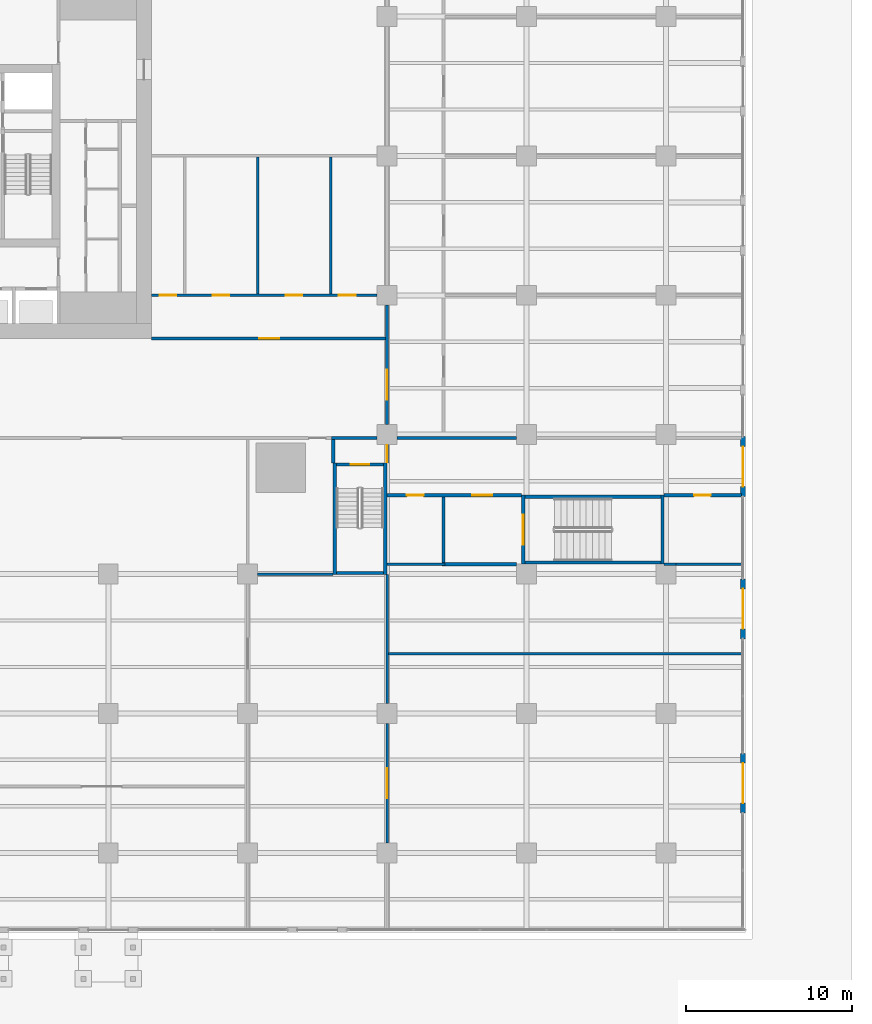
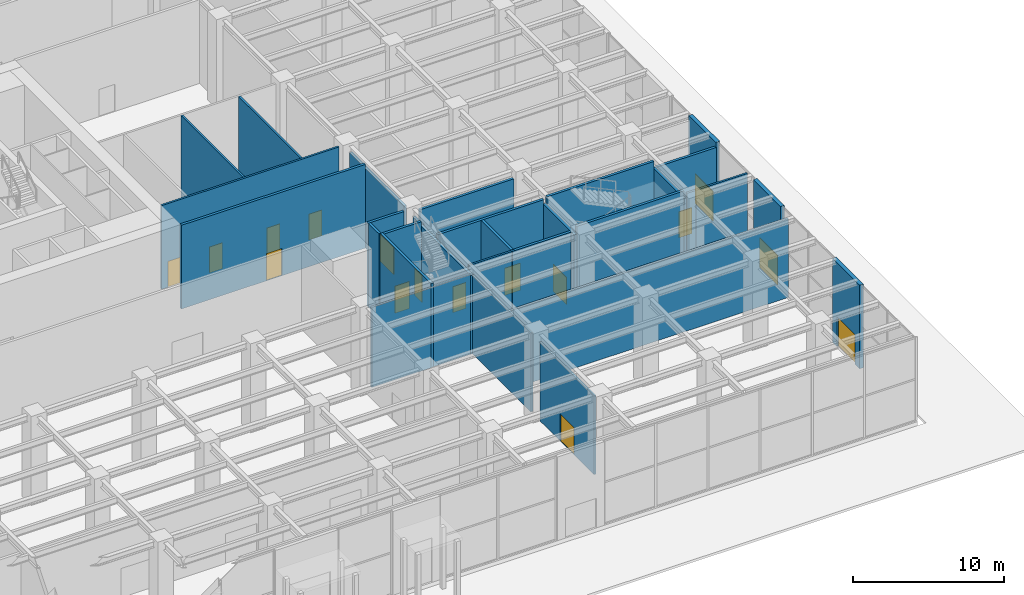
# One storey, part 32 of 43: 31 walls, 16 doors, 16 openings.
"""IFC4 building model written with IfcOpenShell, lengths in metres."""

from ifc_helpers import new_model, si_unit, direction, frame, frame_2d, origin, place, context, subcontext, project, spatial, rectangle, extrude, material, layer, layer_set, type_object, element, fill, save


model = new_model("IFC4")

# Units and contexts
model_context = context("Model", 3, precision=1e-05, world=origin(), true_north=direction((0.0, 1.0)))
body_context = subcontext(model_context, "Body", "Model", "MODEL_VIEW")
ifc_project = project(units=[si_unit("LENGTHUNIT", "METRE"), si_unit("AREAUNIT", "SQUARE_METRE"), si_unit("VOLUMEUNIT", "CUBIC_METRE"), si_unit("PLANEANGLEUNIT", "RADIAN"), si_unit("MASSUNIT", "GRAM", prefix="KILO")], contexts=[model_context])

# Site, building, storey
site_placement = place(None, origin())
site = spatial("IfcSite", under=ifc_project, at=site_placement, CompositionType="ELEMENT")
building_placement = place(site_placement, origin())
building = spatial("IfcBuilding", under=site, at=building_placement, Name="Khepri Terraces", CompositionType="ELEMENT")
storey_placement = place(building_placement, origin())
storey = spatial("IfcBuildingStorey", under=building, at=storey_placement, Name="L00", CompositionType="ELEMENT", Elevation=0.0)

# Wall, opening, door
ifc_material_1 = material(Name="Precast concrete C50/60 warm stone", Category="masonry")
ifc_layer_1 = layer(ifc_material_1, 0.300048828125, Name="Precast concrete C50/60 warm stone", Category="masonry")
ifc_layer_set_1 = layer_set([ifc_layer_1], Name="Precast concrete C50/60 warm stone")
wall_type_1 = type_object("IfcWallType", Name="WL-EXT-PRECAST-300", PredefinedType="STANDARD", material=ifc_layer_set_1)
wall_1_placement = place(storey_placement, frame((46.64990234375, -39.60009765625, 0.0), z_axis=(0.0, 0.0, 1.0), x_axis=(0.0, 1.0, 0.0)))
wall_1 = element("IfcWall", 1, at=wall_1_placement, inside=storey, type_object=wall_type_1, Name="External wall L00 E", PredefinedType="STANDARD", context=body_context, shape_type="SweptSolid", body=[
    extrude(rectangle(XDim=3.60009765625, YDim=0.300048828125, at=frame_2d((1.800048828125, 0.0))), origin(), (0.0, 0.0, 1.0), 6.780029296875),
])
opening_1_placement = place(wall_1_placement, frame((0.60009765625, 0.0, 0.0)))
opening_1 = element("IfcOpeningElement", 2, at=opening_1_placement, cuts=wall_1, Name="Opening ED-L00-01", PredefinedType="OPENING", context=body_context, shape_type="SweptSolid", body=[
    extrude(rectangle(XDim=2.39990234375, YDim=2.39990234375, at=frame_2d((1.199951171875, 1.199951171875))), frame((0.0, 0.16015625, 0.0), z_axis=(0.0, -1.0, 0.0), x_axis=(1.0, 0.0, 0.0)), (0.0, 0.0, 1.0), 0.320068359375),
])
ifc_material_2 = material(Name="Anodised aluminium bronze glazed door", Category="aluminium")
door_type_1 = type_object("IfcDoorType", Name="DR-SHOP-2400x2400", OperationType="NOTDEFINED", PredefinedType="DOOR", material=ifc_material_2)
door_1_placement = place(opening_1_placement, frame((2.39990234375, 0.0, 0.0), z_axis=(0.0, 0.0, 1.0), x_axis=(-1.0, 0.0, 0.0)))
door_1 = element("IfcDoor", 3, at=door_1_placement, inside=storey, type_object=door_type_1, Name="Retail door L00 E", OperationType="DOUBLE_DOOR_SINGLE_SWING", OverallHeight=2.39990234375, OverallWidth=2.39990234375, PredefinedType="DOOR", context=body_context, shape_type="SweptSolid", body=[
    extrude(rectangle(XDim=2.39990234375, YDim=2.39990234375, at=frame_2d((1.199951171875, 1.199951171875))), frame((0.0, 0.02490234375, 0.0), z_axis=(0.0, -1.0, 0.0), x_axis=(1.0, 0.0, 0.0)), (0.0, 0.0, 1.0), 0.050048828125),
])
fill(opening_1, door_1)

wall_2_placement = place(storey_placement, frame((46.64990234375, -29.10009765625, 0.0), z_axis=(0.0, 0.0, 1.0), x_axis=(0.0, 1.0, 0.0)))
wall_2 = element("IfcWall", 4, at=wall_2_placement, inside=storey, type_object=wall_type_1, Name="External wall L00 E", PredefinedType="STANDARD", context=body_context, shape_type="SweptSolid", body=[
    extrude(rectangle(XDim=3.60009765625, YDim=0.300048828125, at=frame_2d((1.800048828125, 0.0))), origin(), (0.0, 0.0, 1.0), 6.780029296875),
])
opening_2_placement = place(wall_2_placement, frame((0.60009765625, 0.0, 0.0)))
opening_2 = element("IfcOpeningElement", 5, at=opening_2_placement, cuts=wall_2, Name="Opening ED-L00-02", PredefinedType="OPENING", context=body_context, shape_type="SweptSolid", body=[
    extrude(rectangle(XDim=2.39990234375, YDim=2.39990234375, at=frame_2d((1.199951171875, 1.199951171875))), frame((0.0, 0.16015625, 0.0), z_axis=(0.0, -1.0, 0.0), x_axis=(1.0, 0.0, 0.0)), (0.0, 0.0, 1.0), 0.320068359375),
])
door_2_placement = place(opening_2_placement, frame((2.39990234375, 0.0, 0.0), z_axis=(0.0, 0.0, 1.0), x_axis=(-1.0, 0.0, 0.0)))
door_2 = element("IfcDoor", 6, at=door_2_placement, inside=storey, type_object=door_type_1, Name="Retail door L00 E", OperationType="DOUBLE_DOOR_SINGLE_SWING", OverallHeight=2.39990234375, OverallWidth=2.39990234375, PredefinedType="DOOR", context=body_context, shape_type="SweptSolid", body=[
    extrude(rectangle(XDim=2.39990234375, YDim=2.39990234375, at=frame_2d((1.199951171875, 1.199951171875))), frame((0.0, 0.02490234375, 0.0), z_axis=(0.0, -1.0, 0.0), x_axis=(1.0, 0.0, 0.0)), (0.0, 0.0, 1.0), 0.050048828125),
])
fill(opening_2, door_2)

wall_3_placement = place(storey_placement, frame((46.64990234375, -20.52490234375, 0.0), z_axis=(0.0, 0.0, 1.0), x_axis=(0.0, 1.0, 0.0)))
wall_3 = element("IfcWall", 7, at=wall_3_placement, inside=storey, type_object=wall_type_1, Name="External wall L00 E", PredefinedType="STANDARD", context=body_context, shape_type="SweptSolid", body=[
    extrude(rectangle(XDim=3.599853515625, YDim=0.300048828125, at=frame_2d((1.7998046875, 0.0))), origin(), (0.0, 0.0, 1.0), 6.780029296875),
])
opening_3_placement = place(wall_3_placement, frame((0.60009765625, 0.0, 0.0)))
opening_3 = element("IfcOpeningElement", 8, at=opening_3_placement, cuts=wall_3, Name="Opening ED-L00-03", PredefinedType="OPENING", context=body_context, shape_type="SweptSolid", body=[
    extrude(rectangle(XDim=2.39990234375, YDim=2.39990234375, at=frame_2d((1.199951171875, 1.199951171875))), frame((0.0, 0.16015625, 0.0), z_axis=(0.0, -1.0, 0.0), x_axis=(1.0, 0.0, 0.0)), (0.0, 0.0, 1.0), 0.320068359375),
])
ifc_material_3 = material(Name="Painted galvanised steel leaf", Category="steel")
door_type_2 = type_object("IfcDoorType", Name="DR-EXIT-2400x2400", OperationType="NOTDEFINED", PredefinedType="DOOR", material=ifc_material_3)
door_3_placement = place(opening_3_placement, frame((2.39990234375, 0.0, 0.0), z_axis=(0.0, 0.0, 1.0), x_axis=(-1.0, 0.0, 0.0)))
door_3 = element("IfcDoor", 9, at=door_3_placement, inside=storey, type_object=door_type_2, Name="Stair discharge door L00 E", OperationType="SINGLE_SWING_LEFT", OverallHeight=2.39990234375, OverallWidth=2.39990234375, PredefinedType="DOOR", context=body_context, shape_type="SweptSolid", body=[
    extrude(rectangle(XDim=2.39990234375, YDim=2.39990234375, at=frame_2d((1.199951171875, 1.199951171875))), frame((0.0, 0.02490234375, 0.0), z_axis=(0.0, -1.0, 0.0), x_axis=(1.0, 0.0, 0.0)), (0.0, 0.0, 1.0), 0.050048828125),
])
fill(opening_3, door_3)

# Walls
ifc_material_4 = material(Name="Gypsum board partition")
ifc_layer_2 = layer(ifc_material_4, 0.14990234375, Name="Gypsum board partition")
ifc_layer_set_2 = layer_set([ifc_layer_2], Name="Gypsum board partition")
wall_type_2 = type_object("IfcWallType", Name="WL-POD-150", PredefinedType="PARTITIONING", material=ifc_layer_set_2)
wall_4_placement = place(storey_placement, frame((25.27490234375, -30.0, 0.0), z_axis=(0.0, 0.0, 1.0), x_axis=(1.0, 0.0, 0.0)))
element("IfcWall", 10, at=wall_4_placement, inside=storey, type_object=wall_type_2, Name="Partition L00-PW004", PredefinedType="PARTITIONING", context=body_context, shape_type="SweptSolid", body=[
    extrude(rectangle(XDim=21.275146484375, YDim=0.14990234375, at=frame_2d((10.6376953125, 0.0))), origin(), (0.0, 0.0, 1.0), 6.3798828125),
])
wall_5_placement = place(storey_placement, frame((17.39990234375, -25.199951171875, 0.0), z_axis=(0.0, 0.0, 1.0), x_axis=(1.0, 0.0, 0.0)))
element("IfcWall", 11, at=wall_5_placement, inside=storey, type_object=wall_type_2, Name="Partition L00-PW006", PredefinedType="PARTITIONING", context=body_context, shape_type="SweptSolid", body=[
    extrude(rectangle(XDim=4.550048828125, YDim=0.14990234375, at=frame_2d((2.27490234375, 0.0))), origin(), (0.0, 0.0, 1.0), 6.47998046875),
])
wall_6_placement = place(storey_placement, frame((25.199951171875, -24.60009765625, 0.0), z_axis=(0.0, 0.0, 1.0), x_axis=(1.0, 0.0, 0.0)))
element("IfcWall", 12, at=wall_6_placement, inside=storey, type_object=wall_type_2, Name="Partition L00-PW011", PredefinedType="PARTITIONING", context=body_context, shape_type="SweptSolid", body=[
    extrude(rectangle(XDim=3.5, YDim=0.14990234375, at=frame_2d((1.75, 0.0))), origin(), (0.0, 0.0, 1.0), 6.780029296875),
])
wall_7_placement = place(storey_placement, frame((41.89990234375, -24.60009765625, 0.0), z_axis=(0.0, 0.0, 1.0), x_axis=(1.0, 0.0, 0.0)))
element("IfcWall", 13, at=wall_7_placement, inside=storey, type_object=wall_type_2, Name="Partition L00-PW013", PredefinedType="PARTITIONING", context=body_context, shape_type="SweptSolid", body=[
    extrude(rectangle(XDim=0.7001953125, YDim=0.14990234375, at=frame_2d((0.35009765625, 0.0))), origin(), (0.0, 0.0, 1.0), 6.780029296875),
])
wall_8_placement = place(storey_placement, frame((42.60009765625, -24.60009765625, 0.0), z_axis=(0.0, 0.0, 1.0), x_axis=(1.0, 0.0, 0.0)))
element("IfcWall", 14, at=wall_8_placement, inside=storey, type_object=wall_type_2, Name="Partition L00-PW014", PredefinedType="PARTITIONING", context=body_context, shape_type="SweptSolid", body=[
    extrude(rectangle(XDim=3.949951171875, YDim=0.14990234375, at=frame_2d((1.97509765625, 0.0))), origin(), (0.0, 0.0, 1.0), 6.780029296875),
])

# Wall, openings, doors
wall_9_placement = place(storey_placement, frame((11.0, -8.39990234375, 0.0), z_axis=(0.0, 0.0, 1.0), x_axis=(1.0, 0.0, 0.0)))
wall_9 = element("IfcWall", 15, at=wall_9_placement, inside=storey, type_object=wall_type_2, Name="Partition L00-PW033", PredefinedType="PARTITIONING", context=body_context, shape_type="SweptSolid", body=[
    extrude(rectangle(XDim=13.60009765625, YDim=0.14990234375, at=frame_2d((6.800048828125, 0.0))), origin(), (0.0, 0.0, 1.0), 6.780029296875),
])
opening_4_placement = place(wall_9_placement, frame((0.5, 0.0, 0.0)))
opening_4 = element("IfcOpeningElement", 16, at=opening_4_placement, cuts=wall_9, Name="Opening L00-P27", PredefinedType="OPENING", context=body_context, shape_type="SweptSolid", body=[
    extrude(rectangle(XDim=1.0, YDim=2.10009765625, at=frame_2d((0.5, 1.050048828125))), frame((0.0, 0.0849609375, 0.0), z_axis=(0.0, -1.0, 0.0), x_axis=(1.0, 0.0, 0.0)), (0.0, 0.0, 1.0), 0.169921875),
])
opening_5_placement = place(wall_9_placement, frame((3.699951171875, 0.0, 0.0)))
opening_5 = element("IfcOpeningElement", 17, at=opening_5_placement, cuts=wall_9, Name="Opening L00-P28", PredefinedType="OPENING", context=body_context, shape_type="SweptSolid", body=[
    extrude(rectangle(XDim=1.0, YDim=2.10009765625, at=frame_2d((0.5, 1.050048828125))), frame((0.0, 0.0849609375, 0.0), z_axis=(0.0, -1.0, 0.0), x_axis=(1.0, 0.0, 0.0)), (0.0, 0.0, 1.0), 0.169921875),
])
opening_6_placement = place(wall_9_placement, frame((8.10009765625, 0.0, 0.0)))
opening_6 = element("IfcOpeningElement", 18, at=opening_6_placement, cuts=wall_9, Name="Opening L00-P29", PredefinedType="OPENING", context=body_context, shape_type="SweptSolid", body=[
    extrude(rectangle(XDim=1.0, YDim=2.10009765625, at=frame_2d((0.5, 1.050048828125))), frame((0.0, 0.0849609375, 0.0), z_axis=(0.0, -1.0, 0.0), x_axis=(1.0, 0.0, 0.0)), (0.0, 0.0, 1.0), 0.169921875),
])
opening_7_placement = place(wall_9_placement, frame((11.300048828125, 0.0, 0.0)))
opening_7 = element("IfcOpeningElement", 19, at=opening_7_placement, cuts=wall_9, Name="Opening L00-P30", PredefinedType="OPENING", context=body_context, shape_type="SweptSolid", body=[
    extrude(rectangle(XDim=1.0, YDim=2.10009765625, at=frame_2d((0.5, 1.050048828125))), frame((0.0, 0.0849609375, 0.0), z_axis=(0.0, -1.0, 0.0), x_axis=(1.0, 0.0, 0.0)), (0.0, 0.0, 1.0), 0.169921875),
])
ifc_material_5 = material(Name="Timber veneer", Category="wood")
door_type_3 = type_object("IfcDoorType", Name="DR-POD-SINGLE-1000", OperationType="NOTDEFINED", PredefinedType="DOOR", material=ifc_material_5)
door_4_placement = place(opening_4_placement, origin())
door_4 = element("IfcDoor", 20, at=door_4_placement, inside=storey, type_object=door_type_3, Name="Door L00-P27", OperationType="SINGLE_SWING_LEFT", OverallHeight=2.10009765625, OverallWidth=1.0, PredefinedType="DOOR", context=body_context, shape_type="SweptSolid", body=[
    extrude(rectangle(XDim=1.0, YDim=2.10009765625, at=frame_2d((0.5, 1.050048828125))), frame((0.0, 0.02490234375, 0.0), z_axis=(0.0, -1.0, 0.0), x_axis=(1.0, 0.0, 0.0)), (0.0, 0.0, 1.0), 0.050048828125),
])
fill(opening_4, door_4)
door_5_placement = place(opening_5_placement, origin())
door_5 = element("IfcDoor", 21, at=door_5_placement, inside=storey, type_object=door_type_3, Name="Door L00-P28", OperationType="SINGLE_SWING_LEFT", OverallHeight=2.10009765625, OverallWidth=1.0, PredefinedType="DOOR", context=body_context, shape_type="SweptSolid", body=[
    extrude(rectangle(XDim=1.0, YDim=2.10009765625, at=frame_2d((0.5, 1.050048828125))), frame((0.0, 0.02490234375, 0.0), z_axis=(0.0, -1.0, 0.0), x_axis=(1.0, 0.0, 0.0)), (0.0, 0.0, 1.0), 0.050048828125),
])
fill(opening_5, door_5)
door_6_placement = place(opening_6_placement, origin())
door_6 = element("IfcDoor", 22, at=door_6_placement, inside=storey, type_object=door_type_3, Name="Door L00-P29", OperationType="SINGLE_SWING_RIGHT", OverallHeight=2.10009765625, OverallWidth=1.0, PredefinedType="DOOR", context=body_context, shape_type="SweptSolid", body=[
    extrude(rectangle(XDim=1.0, YDim=2.10009765625, at=frame_2d((0.5, 1.050048828125))), frame((0.0, 0.02490234375, 0.0), z_axis=(0.0, -1.0, 0.0), x_axis=(1.0, 0.0, 0.0)), (0.0, 0.0, 1.0), 0.050048828125),
])
fill(opening_6, door_6)
door_7_placement = place(opening_7_placement, origin())
door_7 = element("IfcDoor", 23, at=door_7_placement, inside=storey, type_object=door_type_3, Name="Door L00-P30", OperationType="SINGLE_SWING_RIGHT", OverallHeight=2.10009765625, OverallWidth=1.0, PredefinedType="DOOR", context=body_context, shape_type="SweptSolid", body=[
    extrude(rectangle(XDim=1.0, YDim=2.10009765625, at=frame_2d((0.5, 1.050048828125))), frame((0.0, 0.02490234375, 0.0), z_axis=(0.0, -1.0, 0.0), x_axis=(1.0, 0.0, 0.0)), (0.0, 0.0, 1.0), 0.050048828125),
])
fill(opening_7, door_7)

# Walls
for number, where, z_axis, x_axis, name in (
    (24, (17.39990234375, -8.324951171875, 0.0), (0.0, 0.0, 1.0), (0.0, 1.0, 0.0), "Partition L00-PW124"),
    (25, (21.800048828125, -8.324951171875, 0.0), (0.0, 0.0, 1.0), (0.0, 1.0, 0.0), "Partition L00-PW125"),
):
    element("IfcWall", number, at=place(storey_placement, frame(where, z_axis=z_axis, x_axis=x_axis)), inside=storey, type_object=wall_type_2, Name=name, PredefinedType="PARTITIONING", context=body_context, shape_type="SweptSolid", body=[
        extrude(rectangle(XDim=8.25, YDim=0.14990234375, at=frame_2d((4.125, 0.0))), origin(), (0.0, 0.0, 1.0), 6.780029296875),
    ])

# Wall, opening, door
wall_10_placement = place(storey_placement, frame((25.199951171875, -41.39990234375, 0.0), z_axis=(0.0, 0.0, 1.0), x_axis=(0.0, 1.0, 0.0)))
wall_10 = element("IfcWall", 26, at=wall_10_placement, inside=storey, type_object=wall_type_2, Name="Partition L00-PW132", PredefinedType="PARTITIONING", context=body_context, shape_type="SweptSolid", body=[
    extrude(rectangle(XDim=7.199951171875, YDim=0.14990234375, at=frame_2d((3.60009765625, 0.0))), origin(), (0.0, 0.0, 1.0), 6.3798828125),
])
opening_8_placement = place(wall_10_placement, frame((2.699951171875, 0.0, 0.0)))
opening_8 = element("IfcOpeningElement", 27, at=opening_8_placement, cuts=wall_10, Name="Opening L00-P05", PredefinedType="OPENING", context=body_context, shape_type="SweptSolid", body=[
    extrude(rectangle(XDim=1.800048828125, YDim=2.199951171875, at=frame_2d((0.89990234375, 1.10009765625))), frame((0.0, 0.0849609375, 0.0), z_axis=(0.0, -1.0, 0.0), x_axis=(1.0, 0.0, 0.0)), (0.0, 0.0, 1.0), 0.169921875),
])
ifc_material_6 = material(Name="Glazed aluminium", Category="aluminium")
door_type_4 = type_object("IfcDoorType", Name="DR-POD-PAIR-1800", OperationType="DOUBLE_DOOR_SINGLE_SWING", PredefinedType="DOOR", material=ifc_material_6)
door_8_placement = place(opening_8_placement, origin())
door_8 = element("IfcDoor", 28, at=door_8_placement, inside=storey, type_object=door_type_4, Name="Double door L00-P05", OperationType="DOUBLE_DOOR_SINGLE_SWING", OverallHeight=2.199951171875, OverallWidth=1.800048828125, PredefinedType="DOOR", context=body_context, shape_type="SweptSolid", body=[
    extrude(rectangle(XDim=1.800048828125, YDim=2.199951171875, at=frame_2d((0.89990234375, 1.10009765625))), frame((0.0, 0.02490234375, 0.0), z_axis=(0.0, -1.0, 0.0), x_axis=(1.0, 0.0, 0.0)), (0.0, 0.0, 1.0), 0.050048828125),
])
fill(opening_8, door_8)

# Walls
wall_11_placement = place(storey_placement, frame((25.199951171875, -33.0, 0.0), z_axis=(0.0, 0.0, 1.0), x_axis=(0.0, 1.0, 0.0)))
element("IfcWall", 29, at=wall_11_placement, inside=storey, type_object=wall_type_2, Name="Partition L00-PW133", PredefinedType="PARTITIONING", context=body_context, shape_type="SweptSolid", body=[
    extrude(rectangle(XDim=7.760009765625, YDim=0.14990234375, at=frame_2d((3.8798828125, 0.0))), origin(), (0.0, 0.0, 1.0), 6.3798828125),
])
ifc_material_7 = material(Name="Fire-rated block wall")
ifc_layer_3 = layer(ifc_material_7, 0.199951171875, Name="Fire-rated block wall")
ifc_layer_set_3 = layer_set([ifc_layer_3], Name="Fire-rated block wall")
wall_type_3 = type_object("IfcWallType", Name="WL-POD-200-EI120", PredefinedType="PARTITIONING", material=ifc_layer_set_3)
wall_12_placement = place(storey_placement, frame((28.5, -24.60009765625, 0.0), z_axis=(0.0, 0.0, 1.0), x_axis=(1.0, 0.0, 0.0)))
element("IfcWall", 30, at=wall_12_placement, inside=storey, type_object=wall_type_3, Name="Partition L00-PW012", PredefinedType="PARTITIONING", context=body_context, shape_type="SweptSolid", body=[
    extrude(rectangle(XDim=4.5, YDim=0.199951171875, at=frame_2d((2.25, 0.0))), origin(), (0.0, 0.0, 1.0), 6.780029296875),
])

# Wall, openings, doors
wall_13_placement = place(storey_placement, frame((25.199951171875, -20.449951171875, 0.0), z_axis=(0.0, 0.0, 1.0), x_axis=(1.0, 0.0, 0.0)))
wall_13 = element("IfcWall", 31, at=wall_13_placement, inside=storey, type_object=wall_type_3, Name="Partition L00-PW017", PredefinedType="PARTITIONING", context=body_context, shape_type="SweptSolid", body=[
    extrude(rectangle(XDim=8.10009765625, YDim=0.199951171875, at=frame_2d((4.050048828125, 0.0))), origin(), (0.0, 0.0, 1.0), 6.780029296875),
])
opening_9_placement = place(wall_13_placement, frame((1.199951171875, 0.0, 0.0)))
opening_9 = element("IfcOpeningElement", 32, at=opening_9_placement, cuts=wall_13, Name="Opening L00-P12", PredefinedType="OPENING", context=body_context, shape_type="SweptSolid", body=[
    extrude(rectangle(XDim=1.0, YDim=2.10009765625, at=frame_2d((0.5, 1.050048828125))), frame((0.0, 0.10986328125, 0.0), z_axis=(0.0, -1.0, 0.0), x_axis=(1.0, 0.0, 0.0)), (0.0, 0.0, 1.0), 0.219970703125),
])
opening_10_placement = place(wall_13_placement, frame((5.14990234375, 0.0, 0.0)))
opening_10 = element("IfcOpeningElement", 33, at=opening_10_placement, cuts=wall_13, Name="Opening L00-P13", PredefinedType="OPENING", context=body_context, shape_type="SweptSolid", body=[
    extrude(rectangle(XDim=1.199951171875, YDim=2.199951171875, at=frame_2d((0.60009765625, 1.10009765625))), frame((0.0, 0.10986328125, 0.0), z_axis=(0.0, -1.0, 0.0), x_axis=(1.0, 0.0, 0.0)), (0.0, 0.0, 1.0), 0.219970703125),
])
ifc_material_8 = material(Name="Painted steel", Category="steel")
door_type_5 = type_object("IfcDoorType", Name="DR-POD-EXIT-1200", OperationType="NOTDEFINED", PredefinedType="DOOR", material=ifc_material_8)
door_9_placement = place(opening_10_placement, origin())
door_9 = element("IfcDoor", 34, at=door_9_placement, inside=storey, type_object=door_type_5, Name="Exit door L00-P13", OperationType="SINGLE_SWING_RIGHT", OverallHeight=2.199951171875, OverallWidth=1.199951171875, PredefinedType="DOOR", context=body_context, shape_type="SweptSolid", body=[
    extrude(rectangle(XDim=1.199951171875, YDim=2.199951171875, at=frame_2d((0.60009765625, 1.10009765625))), frame((0.0, 0.02490234375, 0.0), z_axis=(0.0, -1.0, 0.0), x_axis=(1.0, 0.0, 0.0)), (0.0, 0.0, 1.0), 0.050048828125),
])
fill(opening_10, door_9)
door_10_placement = place(opening_9_placement, origin())
door_10 = element("IfcDoor", 35, at=door_10_placement, inside=storey, type_object=door_type_3, Name="Door L00-P12", OperationType="SINGLE_SWING_RIGHT", OverallHeight=2.10009765625, OverallWidth=1.0, PredefinedType="DOOR", context=body_context, shape_type="SweptSolid", body=[
    extrude(rectangle(XDim=1.0, YDim=2.10009765625, at=frame_2d((0.5, 1.050048828125))), frame((0.0, 0.02490234375, 0.0), z_axis=(0.0, -1.0, 0.0), x_axis=(1.0, 0.0, 0.0)), (0.0, 0.0, 1.0), 0.050048828125),
])
fill(opening_9, door_10)

# Wall, opening, door
wall_14_placement = place(storey_placement, frame((41.89990234375, -20.449951171875, 0.0), z_axis=(0.0, 0.0, 1.0), x_axis=(1.0, 0.0, 0.0)))
wall_14 = element("IfcWall", 36, at=wall_14_placement, inside=storey, type_object=wall_type_3, Name="Partition L00-PW018", PredefinedType="PARTITIONING", context=body_context, shape_type="SweptSolid", body=[
    extrude(rectangle(XDim=4.650146484375, YDim=0.199951171875, at=frame_2d((2.3251953125, 0.0))), origin(), (0.0, 0.0, 1.0), 6.3798828125),
])
opening_11_placement = place(wall_14_placement, frame((1.800048828125, 0.0, 0.0)))
opening_11 = element("IfcOpeningElement", 37, at=opening_11_placement, cuts=wall_14, Name="Opening L00-P14", PredefinedType="OPENING", context=body_context, shape_type="SweptSolid", body=[
    extrude(rectangle(XDim=1.0, YDim=2.10009765625, at=frame_2d((0.5, 1.050048828125))), frame((0.0, 0.10986328125, 0.0), z_axis=(0.0, -1.0, 0.0), x_axis=(1.0, 0.0, 0.0)), (0.0, 0.0, 1.0), 0.219970703125),
])
door_11_placement = place(opening_11_placement, origin())
door_11 = element("IfcDoor", 38, at=door_11_placement, inside=storey, type_object=door_type_3, Name="Door L00-P14", OperationType="SINGLE_SWING_RIGHT", OverallHeight=2.10009765625, OverallWidth=1.0, PredefinedType="DOOR", context=body_context, shape_type="SweptSolid", body=[
    extrude(rectangle(XDim=1.0, YDim=2.10009765625, at=frame_2d((0.5, 1.050048828125))), frame((0.0, 0.02490234375, 0.0), z_axis=(0.0, -1.0, 0.0), x_axis=(1.0, 0.0, 0.0)), (0.0, 0.0, 1.0), 0.050048828125),
])
fill(opening_11, door_11)

# Walls
wall_15_placement = place(storey_placement, frame((21.85009765625, -17.0, 0.0), z_axis=(0.0, 0.0, 1.0), x_axis=(1.0, 0.0, 0.0)))
element("IfcWall", 39, at=wall_15_placement, inside=storey, type_object=wall_type_3, Name="Partition L00-PW024", PredefinedType="PARTITIONING", context=body_context, shape_type="SweptSolid", body=[
    extrude(rectangle(XDim=2.75, YDim=0.199951171875, at=frame_2d((1.375, 0.0))), origin(), (0.0, 0.0, 1.0), 6.780029296875),
])
wall_16_placement = place(storey_placement, frame((25.800048828125, -17.0, 0.0), z_axis=(0.0, 0.0, 1.0), x_axis=(1.0, 0.0, 0.0)))
element("IfcWall", 40, at=wall_16_placement, inside=storey, type_object=wall_type_3, Name="Partition L00-PW025", PredefinedType="PARTITIONING", context=body_context, shape_type="SweptSolid", body=[
    extrude(rectangle(XDim=7.199951171875, YDim=0.199951171875, at=frame_2d((3.60009765625, 0.0))), origin(), (0.0, 0.0, 1.0), 6.47998046875),
])
wall_17_placement = place(storey_placement, frame((21.949951171875, -18.5, 0.0), z_axis=(0.0, 0.0, 1.0), x_axis=(0.0, 1.0, 0.0)))
element("IfcWall", 41, at=wall_17_placement, inside=storey, type_object=wall_type_3, Name="Partition L00-PW126", PredefinedType="PARTITIONING", context=body_context, shape_type="SweptSolid", body=[
    extrude(rectangle(XDim=1.39990234375, YDim=0.199951171875, at=frame_2d((0.699951171875, 0.0))), origin(), (0.0, 0.0, 1.0), 6.780029296875),
])

# Wall, opening, door
wall_18_placement = place(storey_placement, frame((25.199951171875, -18.5, 0.0), z_axis=(0.0, 0.0, 1.0), x_axis=(0.0, 1.0, 0.0)))
wall_18 = element("IfcWall", 42, at=wall_18_placement, inside=storey, type_object=wall_type_3, Name="Partition L00-PW134", PredefinedType="PARTITIONING", context=body_context, shape_type="SweptSolid", body=[
    extrude(rectangle(XDim=1.10009765625, YDim=0.199951171875, at=frame_2d((0.550048828125, 0.0))), origin(), (0.0, 0.0, 1.0), 6.3798828125),
])
opening_12_placement = place(wall_18_placement, frame((0.050048828125, 0.0, 0.0)))
opening_12 = element("IfcOpeningElement", 43, at=opening_12_placement, cuts=wall_18, Name="Opening L00-P16", PredefinedType="OPENING", context=body_context, shape_type="SweptSolid", body=[
    extrude(rectangle(XDim=1.0, YDim=2.199951171875, at=frame_2d((0.5, 1.10009765625))), frame((0.0, 0.10986328125, 0.0), z_axis=(0.0, -1.0, 0.0), x_axis=(1.0, 0.0, 0.0)), (0.0, 0.0, 1.0), 0.219970703125),
])
door_type_6 = type_object("IfcDoorType", Name="DR-POD-EXIT-1000", OperationType="NOTDEFINED", PredefinedType="DOOR", material=ifc_material_8)
door_12_placement = place(opening_12_placement, origin())
door_12 = element("IfcDoor", 44, at=door_12_placement, inside=storey, type_object=door_type_6, Name="Exit door L00-P16", OperationType="SINGLE_SWING_LEFT", OverallHeight=2.199951171875, OverallWidth=1.0, PredefinedType="DOOR", context=body_context, shape_type="SweptSolid", body=[
    extrude(rectangle(XDim=1.0, YDim=2.199951171875, at=frame_2d((0.5, 1.10009765625))), frame((0.0, 0.02490234375, 0.0), z_axis=(0.0, -1.0, 0.0), x_axis=(1.0, 0.0, 0.0)), (0.0, 0.0, 1.0), 0.050048828125),
])
fill(opening_12, door_12)

# Wall
wall_19_placement = place(storey_placement, frame((28.60009765625, -24.5, 0.0), z_axis=(0.0, 0.0, 1.0), x_axis=(0.0, 1.0, 0.0)))
element("IfcWall", 45, at=wall_19_placement, inside=storey, type_object=wall_type_3, Name="Partition L00-PW140", PredefinedType="PARTITIONING", context=body_context, shape_type="SweptSolid", body=[
    extrude(rectangle(XDim=3.949951171875, YDim=0.199951171875, at=frame_2d((1.97509765625, 0.0))), origin(), (0.0, 0.0, 1.0), 6.780029296875),
])

# Wall, opening, door
ifc_layer_4 = layer(ifc_material_7, 0.199951171875, Name="Fire-rated block wall")
ifc_layer_set_4 = layer_set([ifc_layer_4], Name="Fire-rated block wall")
wall_type_4 = type_object("IfcWallType", Name="WL-POD-200-EI60", PredefinedType="PARTITIONING", material=ifc_layer_set_4)
wall_20_placement = place(storey_placement, frame((11.0, -11.0, 0.0), z_axis=(0.0, 0.0, 1.0), x_axis=(1.0, 0.0, 0.0)))
wall_20 = element("IfcWall", 46, at=wall_20_placement, inside=storey, type_object=wall_type_4, Name="Partition L00-PW029", PredefinedType="PARTITIONING", context=body_context, shape_type="SweptSolid", body=[
    extrude(rectangle(XDim=14.10009765625, YDim=0.199951171875, at=frame_2d((7.050048828125, 0.0))), origin(), (0.0, 0.0, 1.0), 6.780029296875),
])
opening_13_placement = place(wall_20_placement, frame((6.5, 0.0, 0.0)))
opening_13 = element("IfcOpeningElement", 47, at=opening_13_placement, cuts=wall_20, Name="Opening L00-P26", PredefinedType="OPENING", context=body_context, shape_type="SweptSolid", body=[
    extrude(rectangle(XDim=1.199951171875, YDim=2.199951171875, at=frame_2d((0.60009765625, 1.10009765625))), frame((0.0, 0.10986328125, 0.0), z_axis=(0.0, -1.0, 0.0), x_axis=(1.0, 0.0, 0.0)), (0.0, 0.0, 1.0), 0.219970703125),
])
door_type_7 = type_object("IfcDoorType", Name="DR-POD-SINGLE-1200", OperationType="NOTDEFINED", PredefinedType="DOOR", material=ifc_material_5)
door_13_placement = place(opening_13_placement, origin())
door_13 = element("IfcDoor", 48, at=door_13_placement, inside=storey, type_object=door_type_7, Name="Door L00-P26", OperationType="SINGLE_SWING_RIGHT", OverallHeight=2.199951171875, OverallWidth=1.199951171875, PredefinedType="DOOR", context=body_context, shape_type="SweptSolid", body=[
    extrude(rectangle(XDim=1.199951171875, YDim=2.199951171875, at=frame_2d((0.60009765625, 1.10009765625))), frame((0.0, 0.02490234375, 0.0), z_axis=(0.0, -1.0, 0.0), x_axis=(1.0, 0.0, 0.0)), (0.0, 0.0, 1.0), 0.050048828125),
])
fill(opening_13, door_13)

wall_21_placement = place(storey_placement, frame((25.199951171875, -16.199951171875, 0.0), z_axis=(0.0, 0.0, 1.0), x_axis=(0.0, 1.0, 0.0)))
wall_21 = element("IfcWall", 49, at=wall_21_placement, inside=storey, type_object=wall_type_4, Name="Partition L00-PW135", PredefinedType="PARTITIONING", context=body_context, shape_type="SweptSolid", body=[
    extrude(rectangle(XDim=7.199951171875, YDim=0.199951171875, at=frame_2d((3.60009765625, 0.0))), origin(), (0.0, 0.0, 1.0), 6.47998046875),
])
opening_14_placement = place(wall_21_placement, frame((1.5, 0.0, 0.0)))
opening_14 = element("IfcOpeningElement", 50, at=opening_14_placement, cuts=wall_21, Name="Opening L00-P22", PredefinedType="OPENING", context=body_context, shape_type="SweptSolid", body=[
    extrude(rectangle(XDim=1.800048828125, YDim=2.199951171875, at=frame_2d((0.89990234375, 1.10009765625))), frame((0.0, 0.10986328125, 0.0), z_axis=(0.0, -1.0, 0.0), x_axis=(1.0, 0.0, 0.0)), (0.0, 0.0, 1.0), 0.219970703125),
])
door_type_8 = type_object("IfcDoorType", Name="DR-POD-FIRE-PAIR-1800", OperationType="DOUBLE_DOOR_SINGLE_SWING", PredefinedType="DOOR", material=ifc_material_8)
door_14_placement = place(opening_14_placement, origin())
door_14 = element("IfcDoor", 51, at=door_14_placement, inside=storey, type_object=door_type_8, Name="Fire door pair L00-P22", OperationType="DOUBLE_DOOR_SINGLE_SWING", OverallHeight=2.199951171875, OverallWidth=1.800048828125, PredefinedType="DOOR", context=body_context, shape_type="SweptSolid", body=[
    extrude(rectangle(XDim=1.800048828125, YDim=2.199951171875, at=frame_2d((0.89990234375, 1.10009765625))), frame((0.0, 0.02490234375, 0.0), z_axis=(0.0, -1.0, 0.0), x_axis=(1.0, 0.0, 0.0)), (0.0, 0.0, 1.0), 0.050048828125),
])
fill(opening_14, door_14)

# Walls
ifc_material_9 = material(Name="Concrete C40/50", Category="concrete")
ifc_layer_5 = layer(ifc_material_9, 0.199951171875, Name="Concrete C40/50", Category="concrete")
ifc_layer_set_5 = layer_set([ifc_layer_5], Name="Concrete C40/50")
wall_type_5 = type_object("IfcWallType", Name="WL-POD-STAIR-200", PredefinedType="SOLIDWALL", material=ifc_layer_set_5)
wall_22_placement = place(storey_placement, frame((22.050048828125, -25.239990234375, 0.0), z_axis=(0.0, 0.0, 1.0), x_axis=(0.0, 1.0, 0.0)))
element("IfcWall", 52, at=wall_22_placement, inside=storey, type_object=wall_type_5, Name="Stair enclosure PS-3 L00-W", PredefinedType="SOLIDWALL", context=body_context, shape_type="SweptSolid", body=[
    extrude(rectangle(XDim=6.739990234375, YDim=0.199951171875, at=frame_2d((3.3701171875, 0.0))), origin(), (0.0, 0.0, 1.0), 6.780029296875),
])
wall_23_placement = place(storey_placement, frame((25.10009765625, -25.239990234375, 0.0), z_axis=(0.0, 0.0, 1.0), x_axis=(0.0, 1.0, 0.0)))
element("IfcWall", 53, at=wall_23_placement, inside=storey, type_object=wall_type_5, Name="Stair enclosure PS-3 L00-E", PredefinedType="SOLIDWALL", context=body_context, shape_type="SweptSolid", body=[
    extrude(rectangle(XDim=6.739990234375, YDim=0.199951171875, at=frame_2d((3.3701171875, 0.0))), origin(), (0.0, 0.0, 1.0), 6.3798828125),
])
wall_24_placement = place(storey_placement, frame((22.14990234375, -25.139892578125, 0.0), z_axis=(0.0, 0.0, 1.0), x_axis=(1.0, 0.0, 0.0)))
element("IfcWall", 54, at=wall_24_placement, inside=storey, type_object=wall_type_5, Name="Stair enclosure PS-3 L00-S", PredefinedType="SOLIDWALL", context=body_context, shape_type="SweptSolid", body=[
    extrude(rectangle(XDim=2.85009765625, YDim=0.199951171875, at=frame_2d((1.425048828125, 0.0))), origin(), (0.0, 0.0, 1.0), 6.47998046875),
])

# Wall, opening, door
wall_25_placement = place(storey_placement, frame((22.14990234375, -18.60009765625, 0.0), z_axis=(0.0, 0.0, 1.0), x_axis=(1.0, 0.0, 0.0)))
wall_25 = element("IfcWall", 55, at=wall_25_placement, inside=storey, type_object=wall_type_5, Name="Stair enclosure PS-3 L00-N", PredefinedType="SOLIDWALL", context=body_context, shape_type="SweptSolid", body=[
    extrude(rectangle(XDim=2.85009765625, YDim=0.199951171875, at=frame_2d((1.425048828125, 0.0))), origin(), (0.0, 0.0, 1.0), 6.780029296875),
])
opening_15_placement = place(wall_25_placement, frame((0.875, 0.0, 0.0)))
opening_15 = element("IfcOpeningElement", 56, at=opening_15_placement, cuts=wall_25, Name="Opening L00-PS-3D", PredefinedType="OPENING", context=body_context, shape_type="SweptSolid", body=[
    extrude(rectangle(XDim=1.10009765625, YDim=2.199951171875, at=frame_2d((0.550048828125, 1.10009765625))), frame((0.0, 0.10986328125, 0.0), z_axis=(0.0, -1.0, 0.0), x_axis=(1.0, 0.0, 0.0)), (0.0, 0.0, 1.0), 0.219970703125),
])
door_type_9 = type_object("IfcDoorType", Name="DR-POD-STAIR-1100", OperationType="NOTDEFINED", PredefinedType="DOOR", material=ifc_material_8)
door_15_placement = place(opening_15_placement, origin())
door_15 = element("IfcDoor", 57, at=door_15_placement, inside=storey, type_object=door_type_9, Name="Stair door L00-PS-3D", OperationType="SINGLE_SWING_LEFT", OverallHeight=2.199951171875, OverallWidth=1.10009765625, PredefinedType="DOOR", context=body_context, shape_type="SweptSolid", body=[
    extrude(rectangle(XDim=1.10009765625, YDim=2.199951171875, at=frame_2d((0.550048828125, 1.10009765625))), frame((0.0, 0.02490234375, 0.0), z_axis=(0.0, -1.0, 0.0), x_axis=(1.0, 0.0, 0.0)), (0.0, 0.0, 1.0), 0.050048828125),
])
fill(opening_15, door_15)

wall_26_placement = place(storey_placement, frame((33.39990234375, -24.60009765625, 0.0), z_axis=(0.0, 0.0, 1.0), x_axis=(0.0, 1.0, 0.0)))
wall_26 = element("IfcWall", 58, at=wall_26_placement, inside=storey, type_object=wall_type_5, Name="Stair enclosure PS-8 L00-W", PredefinedType="SOLIDWALL", context=body_context, shape_type="SweptSolid", body=[
    extrude(rectangle(XDim=4.150146484375, YDim=0.199951171875, at=frame_2d((2.0751953125, 0.0))), origin(), (0.0, 0.0, 1.0), 6.3798828125),
])
opening_16_placement = place(wall_26_placement, frame((1.175048828125, 0.0, 0.0)))
opening_16 = element("IfcOpeningElement", 59, at=opening_16_placement, cuts=wall_26, Name="Opening L00-PS-8D", PredefinedType="OPENING", context=body_context, shape_type="SweptSolid", body=[
    extrude(rectangle(XDim=1.800048828125, YDim=2.199951171875, at=frame_2d((0.89990234375, 1.10009765625))), frame((0.0, 0.10986328125, 0.0), z_axis=(0.0, -1.0, 0.0), x_axis=(1.0, 0.0, 0.0)), (0.0, 0.0, 1.0), 0.219970703125),
])
door_type_10 = type_object("IfcDoorType", Name="DR-POD-STAIR-PAIR-1800", OperationType="DOUBLE_DOOR_SINGLE_SWING", PredefinedType="DOOR", material=ifc_material_8)
door_16_placement = place(opening_16_placement, origin())
door_16 = element("IfcDoor", 60, at=door_16_placement, inside=storey, type_object=door_type_10, Name="Stair door L00-PS-8D", OperationType="DOUBLE_DOOR_SINGLE_SWING", OverallHeight=2.199951171875, OverallWidth=1.800048828125, PredefinedType="DOOR", context=body_context, shape_type="SweptSolid", body=[
    extrude(rectangle(XDim=1.800048828125, YDim=2.199951171875, at=frame_2d((0.89990234375, 1.10009765625))), frame((0.0, 0.02490234375, 0.0), z_axis=(0.0, -1.0, 0.0), x_axis=(1.0, 0.0, 0.0)), (0.0, 0.0, 1.0), 0.050048828125),
])
fill(opening_16, door_16)

# Walls
wall_27_placement = place(storey_placement, frame((41.800048828125, -24.60009765625, 0.0), z_axis=(0.0, 0.0, 1.0), x_axis=(0.0, 1.0, 0.0)))
element("IfcWall", 61, at=wall_27_placement, inside=storey, type_object=wall_type_5, Name="Stair enclosure PS-8 L00-E", PredefinedType="SOLIDWALL", context=body_context, shape_type="SweptSolid", body=[
    extrude(rectangle(XDim=4.150146484375, YDim=0.199951171875, at=frame_2d((2.0751953125, 0.0))), origin(), (0.0, 0.0, 1.0), 6.3798828125),
])
for number, where, z_axis, x_axis, name in (
    (62, (33.5, -24.5, 0.0), (0.0, 0.0, 1.0), (1.0, 0.0, 0.0), "Stair enclosure PS-8 L00-S"),
    (63, (33.5, -20.550048828125, 0.0), (0.0, 0.0, 1.0), (1.0, 0.0, 0.0), "Stair enclosure PS-8 L00-N"),
):
    element("IfcWall", number, at=place(storey_placement, frame(where, z_axis=z_axis, x_axis=x_axis)), inside=storey, type_object=wall_type_5, Name=name, PredefinedType="SOLIDWALL", context=body_context, shape_type="SweptSolid", body=[
        extrude(rectangle(XDim=8.199951171875, YDim=0.199951171875, at=frame_2d((4.10009765625, 0.0))), origin(), (0.0, 0.0, 1.0), 7.0),
    ])

save(model, "model.ifc")
